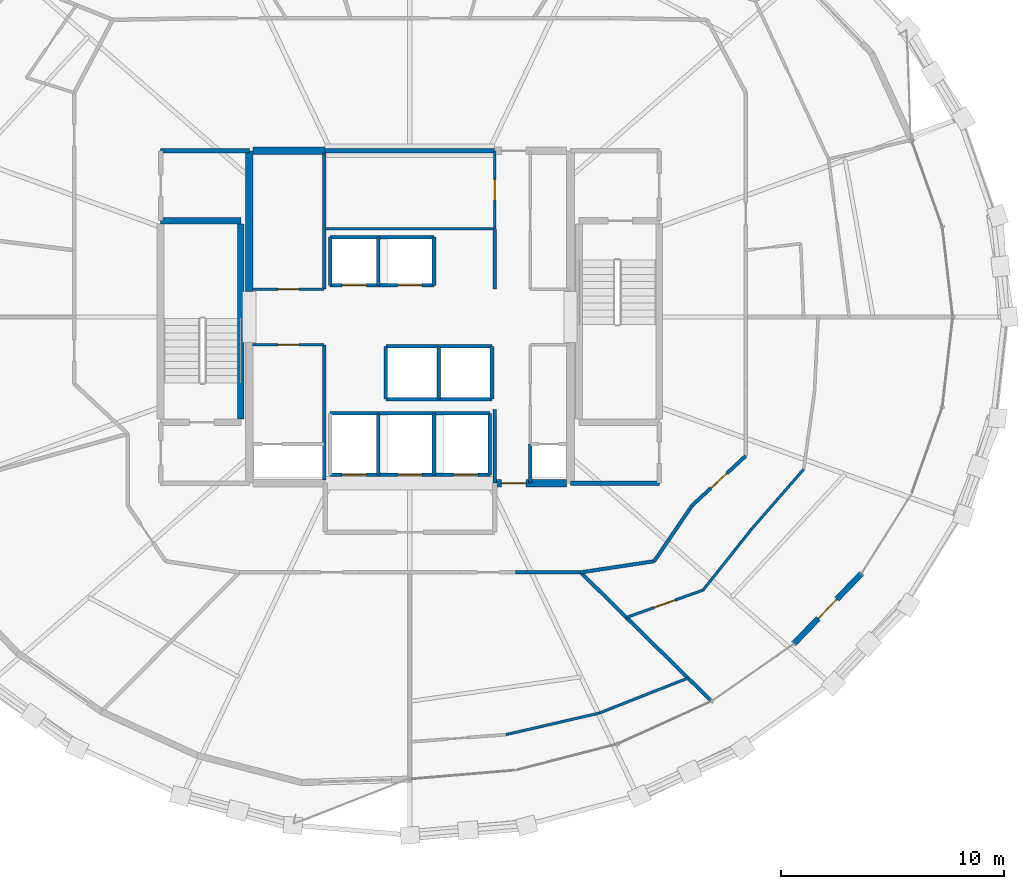
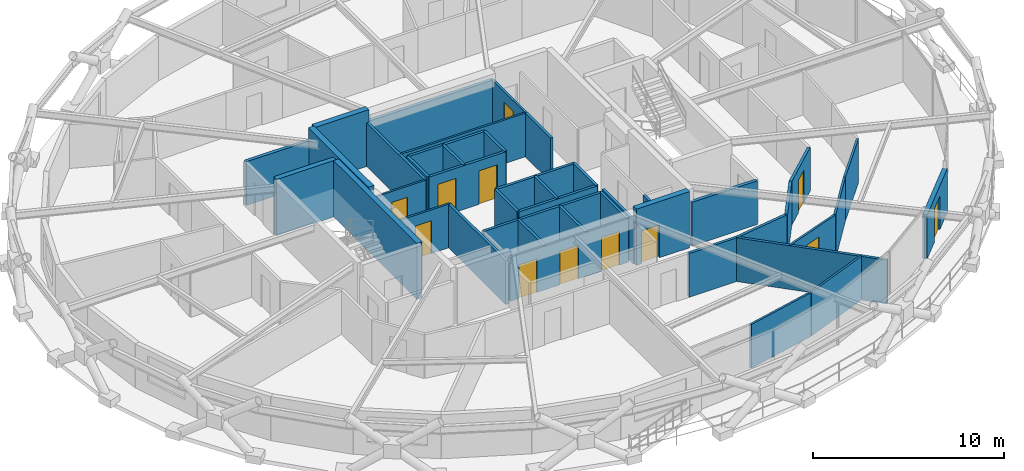
# One storey, part 13 of 16: 43 walls, 12 doors, 12 openings.
"""IFC4 building model written with IfcOpenShell, lengths in metres."""

from ifc_helpers import new_model, si_unit, direction, frame, frame_2d, origin, place, context, subcontext, project, spatial, rectangle, extrude, material, layer, layer_set, type_object, element, fill, save


model = new_model("IFC4")

# Units and contexts
model_context = context("Model", 3, precision=1e-05, world=origin(), true_north=direction((0.0, 1.0)))
body_context = subcontext(model_context, "Body", "Model", "MODEL_VIEW")
ifc_project = project(units=[si_unit("LENGTHUNIT", "METRE"), si_unit("AREAUNIT", "SQUARE_METRE"), si_unit("VOLUMEUNIT", "CUBIC_METRE"), si_unit("PLANEANGLEUNIT", "RADIAN"), si_unit("MASSUNIT", "GRAM", prefix="KILO")], contexts=[model_context])

# Site, building, storey
site_placement = place(None, origin())
site = spatial("IfcSite", under=ifc_project, at=site_placement, CompositionType="ELEMENT")
building_placement = place(site_placement, origin())
building = spatial("IfcBuilding", under=site, at=building_placement, Name="Veldorina Hangang Commons", CompositionType="ELEMENT")
storey_placement = place(building_placement, frame((0.0, 0.0, 192.800048828125)))
storey = spatial("IfcBuildingStorey", under=building, at=storey_placement, Name="L50", CompositionType="ELEMENT", Elevation=192.800048828125)

# Wall
ifc_material_1 = material(Name="Concrete C60/75", Category="concrete")
ifc_layer_1 = layer(ifc_material_1, 0.340087890625)
ifc_layer_set_1 = layer_set([ifc_layer_1], Name="Concrete C60/75")
wall_type_1 = type_object("IfcWallType", Name="CW-RC340-C60", PredefinedType="SHEAR", material=ifc_layer_set_1)
wall_1_placement = place(storey_placement, frame((24.800048828125, 25.14990234375, 0.0), z_axis=(0.0, 0.0, 1.0), x_axis=(0.0, 1.0, 0.0)))
element("IfcWall", 1, at=wall_1_placement, inside=storey, type_object=wall_type_1, Name="L50 W north core shear wall", PredefinedType="SHEAR", context=body_context, shape_type="SweptSolid", body=[
    extrude(rectangle(XDim=6.300048828125, YDim=0.340087890625, at=frame_2d((3.14990234375, 0.0))), origin(), (0.0, 0.0, 1.0), 3.599853515625),
])

# Wall, opening, door
wall_2_placement = place(storey_placement, frame((35.800048828125, 16.550048828125, 0.0), z_axis=(0.0, 0.0, 1.0), x_axis=(1.0, 0.0, 0.0)))
wall_2 = element("IfcWall", 2, at=wall_2_placement, inside=storey, type_object=wall_type_1, Name="L50 south-east core shear wall", PredefinedType="SHEAR", context=body_context, shape_type="SweptSolid", body=[
    extrude(rectangle(XDim=3.22998046875, YDim=0.340087890625, at=frame_2d((1.614990234375, 0.0))), origin(), (0.0, 0.0, 1.0), 3.599853515625),
])
opening_1_placement = place(wall_2_placement, frame((0.300048828125, 0.0, 0.0)))
opening_1 = element("IfcOpeningElement", 3, at=opening_1_placement, cuts=wall_2, Name="Opening D-08", PredefinedType="OPENING", context=body_context, shape_type="SweptSolid", body=[
    extrude(rectangle(XDim=1.10009765625, YDim=2.10009765625, at=frame_2d((0.550048828125, 1.050048828125))), frame((0.0, 0.18017578125, 0.0), z_axis=(0.0, -1.0, 0.0), x_axis=(1.0, 0.0, 0.0)), (0.0, 0.0, 1.0), 0.360107421875),
])
ifc_material_2 = material(Name="Steel Fire-Rated Smoke Seal", Category="steel")
door_type_1 = type_object("IfcDoorType", Name="DR-FIRE-1100", OperationType="SINGLE_SWING_RIGHT", PredefinedType="DOOR", material=ifc_material_2)
door_1_placement = place(opening_1_placement, origin())
door_1 = element("IfcDoor", 4, at=door_1_placement, inside=storey, type_object=door_type_1, Name="L50 central lift lobby south corridor door", OperationType="SINGLE_SWING_RIGHT", OverallHeight=2.10009765625, OverallWidth=1.10009765625, PredefinedType="DOOR", context=body_context, shape_type="SweptSolid", body=[
    extrude(rectangle(XDim=1.10009765625, YDim=2.10009765625, at=frame_2d((0.550048828125, 1.050048828125))), frame((0.0, 0.02490234375, 0.0), z_axis=(0.0, -1.0, 0.0), x_axis=(1.0, 0.0, 0.0)), (0.0, 0.0, 1.0), 0.050048828125),
])
fill(opening_1, door_1)

# Wall
wall_3_placement = place(storey_placement, frame((24.969970703125, 31.449951171875, 0.0), z_axis=(0.0, 0.0, 1.0), x_axis=(1.0, 0.0, 0.0)))
element("IfcWall", 5, at=wall_3_placement, inside=storey, type_object=wall_type_1, Name="L50 north-west core shear wall", PredefinedType="SHEAR", context=body_context, shape_type="SweptSolid", body=[
    extrude(rectangle(XDim=3.22998046875, YDim=0.340087890625, at=frame_2d((1.614990234375, 0.0))), origin(), (0.0, 0.0, 1.0), 3.599853515625),
])

# Wall, opening, door
ifc_material_3 = material(Name="Stone Roman Travertine", Category="masonry")
ifc_layer_2 = layer(ifc_material_3, 0.260009765625)
ifc_layer_set_2 = layer_set([ifc_layer_2], Name="Stone Roman Travertine")
wall_type_2 = type_object("IfcWallType", Name="EW-LOGGIA-260", PredefinedType="STANDARD", material=ifc_layer_set_2)
wall_4_placement = place(storey_placement, frame((49.2109375, 9.34912109375, 0.0), z_axis=(0.0, 0.0, 1.0), x_axis=(0.694057872199, 0.719919210772, 0.0)))
wall_4 = element("IfcWall", 6, at=wall_4_placement, inside=storey, type_object=wall_type_2, Name="L50 sky-garden loggia portal wall 28", PredefinedType="STANDARD", context=body_context, shape_type="SweptSolid", body=[
    extrude(rectangle(XDim=4.361572265625, YDim=0.260009765625, at=frame_2d((2.1806640625, 0.0))), origin(), (0.0, 0.0, 1.0), 2.820068359375),
])
opening_2_placement = place(wall_4_placement, frame((1.58056640625, 0.0, 0.0)))
opening_2 = element("IfcOpeningElement", 7, at=opening_2_placement, cuts=wall_4, Name="Opening BD-1200", PredefinedType="OPENING", context=body_context, shape_type="SweptSolid", body=[
    extrude(rectangle(XDim=1.199951171875, YDim=2.14990234375, at=frame_2d((0.60009765625, 1.074951171875))), frame((0.0, 0.14013671875, 0.0), z_axis=(0.0, -1.0, 0.0), x_axis=(1.0, 0.0, 0.0)), (0.0, 0.0, 1.0), 0.280029296875),
])
ifc_material_4 = material(Name="Glass Thermal Aluminium Frame", Category="aluminium")
door_type_2 = type_object("IfcDoorType", Name="DR-EXT-LOG1200", OperationType="SINGLE_SWING_LEFT", PredefinedType="DOOR", material=ifc_material_4)
door_2_placement = place(opening_2_placement, origin())
door_2 = element("IfcDoor", 8, at=door_2_placement, inside=storey, type_object=door_type_2, Name="L50 loggia glazed exterior door 28", OperationType="SINGLE_SWING_LEFT", OverallHeight=2.14990234375, OverallWidth=1.199951171875, PredefinedType="DOOR", context=body_context, shape_type="SweptSolid", body=[
    extrude(rectangle(XDim=1.199951171875, YDim=2.14990234375, at=frame_2d((0.60009765625, 1.074951171875))), frame((0.0, 0.02490234375, 0.0), z_axis=(0.0, -1.0, 0.0), x_axis=(1.0, 0.0, 0.0)), (0.0, 0.0, 1.0), 0.050048828125),
])
fill(opening_2, door_2)

# Walls
ifc_material_5 = material(Name="Concrete C50/60", Category="concrete")
ifc_layer_3 = layer(ifc_material_5, 0.300048828125)
ifc_layer_set_3 = layer_set([ifc_layer_3], Name="Concrete C50/60")
wall_type_3 = type_object("IfcWallType", Name="SW-STAIR-300", PredefinedType="SHEAR", material=ifc_layer_set_3)
wall_5_placement = place(storey_placement, frame((24.419921875, 19.429931640625, 0.0), z_axis=(0.0, 0.0, 1.0), x_axis=(0.0, 1.0, 0.0)))
element("IfcWall", 9, at=wall_5_placement, inside=storey, type_object=wall_type_3, Name="L50 ST1 inner stair shear wall", PredefinedType="SHEAR", context=body_context, shape_type="SweptSolid", body=[
    extrude(rectangle(XDim=8.739990234375, YDim=0.300048828125, at=frame_2d((4.3701171875, 0.0))), origin(), (0.0, 0.0, 1.0), 3.599853515625),
])
wall_6_placement = place(storey_placement, frame((20.820068359375, 28.320068359375, 0.0), z_axis=(0.0, 0.0, 1.0), x_axis=(1.0, 0.0, 0.0)))
element("IfcWall", 10, at=wall_6_placement, inside=storey, type_object=wall_type_3, Name="L50 ST1 north stair shear wall", PredefinedType="SHEAR", context=body_context, shape_type="SweptSolid", body=[
    extrude(rectangle(XDim=3.599853515625, YDim=0.300048828125, at=frame_2d((1.7998046875, 0.0))), origin(), (0.0, 0.0, 1.0), 3.599853515625),
])
ifc_material_6 = material(Name="Gypsum Fire-Rated Twin Stud Wall", Category="gypsum")
ifc_layer_4 = layer(ifc_material_6, 0.159912109375)
ifc_layer_set_4 = layer_set([ifc_layer_4], Name="Gypsum Fire-Rated Twin Stud Wall")
wall_type_4 = type_object("IfcWallType", Name="WL-FIRE-160", PredefinedType="SOLIDWALL", material=ifc_layer_set_4)
wall_7_placement = place(storey_placement, frame((35.800048828125, 16.550048828125, 0.0), z_axis=(0.0, 0.0, 1.0), x_axis=(0.0, 1.0, 0.0)))
element("IfcWall", 11, at=wall_7_placement, inside=storey, type_object=wall_type_4, Name="L50 Lift passage SW wall 009", PredefinedType="SOLIDWALL", context=body_context, shape_type="SweptSolid", body=[
    extrude(rectangle(XDim=3.300048828125, YDim=0.159912109375, at=frame_2d((1.64990234375, 0.0))), origin(), (0.0, 0.0, 1.0), 2.800048828125),
])
wall_8_placement = place(storey_placement, frame((37.39990234375, 16.550048828125, 0.0), z_axis=(0.0, 0.0, 1.0), x_axis=(0.0, 1.0, 0.0)))
element("IfcWall", 12, at=wall_8_placement, inside=storey, type_object=wall_type_4, Name="L50 Lift passage SE stub 010", PredefinedType="SOLIDWALL", context=body_context, shape_type="SweptSolid", body=[
    extrude(rectangle(XDim=1.75, YDim=0.159912109375, at=frame_2d((0.875, 0.0))), origin(), (0.0, 0.0, 1.0), 2.800048828125),
])
wall_9_placement = place(storey_placement, frame((35.800048828125, 25.25, 0.0), z_axis=(0.0, 0.0, 1.0), x_axis=(0.0, 1.0, 0.0)))
element("IfcWall", 13, at=wall_9_placement, inside=storey, type_object=wall_type_4, Name="L50 Lift passage NW lower wall 011", PredefinedType="SOLIDWALL", context=body_context, shape_type="SweptSolid", body=[
    extrude(rectangle(XDim=2.699951171875, YDim=0.159912109375, at=frame_2d((1.35009765625, 0.0))), origin(), (0.0, 0.0, 1.0), 2.800048828125),
])

# Wall, openings, doors
wall_10_placement = place(storey_placement, frame((28.419921875, 25.419921875, 0.0), z_axis=(0.0, 0.0, 1.0), x_axis=(1.0, 0.0, 0.0)))
wall_10 = element("IfcWall", 14, at=wall_10_placement, inside=storey, type_object=wall_type_4, Name="L50 Mid-high front shaft wall 015", PredefinedType="SOLIDWALL", context=body_context, shape_type="SweptSolid", body=[
    extrude(rectangle(XDim=4.66015625, YDim=0.159912109375, at=frame_2d((2.330078125, 0.0))), origin(), (0.0, 0.0, 1.0), 2.800048828125),
])
opening_3_placement = place(wall_10_placement, frame((0.530029296875, 0.0, 0.0)))
opening_3 = element("IfcOpeningElement", 15, at=opening_3_placement, cuts=wall_10, Name="Opening LD-01", PredefinedType="OPENING", context=body_context, shape_type="SweptSolid", body=[
    extrude(rectangle(XDim=1.10009765625, YDim=2.14990234375, at=frame_2d((0.550048828125, 1.074951171875))), frame((0.0, 0.08984375, 0.0), z_axis=(0.0, -1.0, 0.0), x_axis=(1.0, 0.0, 0.0)), (0.0, 0.0, 1.0), 0.179931640625),
])
opening_4_placement = place(wall_10_placement, frame((3.030029296875, 0.0, 0.0)))
opening_4 = element("IfcOpeningElement", 16, at=opening_4_placement, cuts=wall_10, Name="Opening LD-01", PredefinedType="OPENING", context=body_context, shape_type="SweptSolid", body=[
    extrude(rectangle(XDim=1.10009765625, YDim=2.14990234375, at=frame_2d((0.550048828125, 1.074951171875))), frame((0.0, 0.08984375, 0.0), z_axis=(0.0, -1.0, 0.0), x_axis=(1.0, 0.0, 0.0)), (0.0, 0.0, 1.0), 0.179931640625),
])
ifc_material_7 = material(Name="Stainless Steel Brushed Lift Door", Category="steel")
door_type_3 = type_object("IfcDoorType", Name="DR-LIFT-1100", OperationType="SLIDING_TO_LEFT", PredefinedType="DOOR", material=ifc_material_7)
door_3_placement = place(opening_3_placement, origin())
door_3 = element("IfcDoor", 17, at=door_3_placement, inside=storey, type_object=door_type_3, Name="L50 Lift PL-M1 landing door 006", OperationType="SLIDING_TO_RIGHT", OverallHeight=2.14990234375, OverallWidth=1.10009765625, PredefinedType="DOOR", context=body_context, shape_type="SweptSolid", body=[
    extrude(rectangle(XDim=1.10009765625, YDim=2.14990234375, at=frame_2d((0.550048828125, 1.074951171875))), frame((0.0, 0.02490234375, 0.0), z_axis=(0.0, -1.0, 0.0), x_axis=(1.0, 0.0, 0.0)), (0.0, 0.0, 1.0), 0.050048828125),
])
fill(opening_3, door_3)
door_4_placement = place(opening_4_placement, origin())
door_4 = element("IfcDoor", 18, at=door_4_placement, inside=storey, type_object=door_type_3, Name="L50 Lift PL-M2 landing door 007", OperationType="SLIDING_TO_RIGHT", OverallHeight=2.14990234375, OverallWidth=1.10009765625, PredefinedType="DOOR", context=body_context, shape_type="SweptSolid", body=[
    extrude(rectangle(XDim=1.10009765625, YDim=2.14990234375, at=frame_2d((0.550048828125, 1.074951171875))), frame((0.0, 0.02490234375, 0.0), z_axis=(0.0, -1.0, 0.0), x_axis=(1.0, 0.0, 0.0)), (0.0, 0.0, 1.0), 0.050048828125),
])
fill(opening_4, door_4)

# Walls
wall_11_placement = place(storey_placement, frame((28.419921875, 27.580078125, 0.0), z_axis=(0.0, 0.0, 1.0), x_axis=(1.0, 0.0, 0.0)))
element("IfcWall", 19, at=wall_11_placement, inside=storey, type_object=wall_type_4, Name="L50 Mid-high rear shaft wall 016", PredefinedType="SOLIDWALL", context=body_context, shape_type="SweptSolid", body=[
    extrude(rectangle(XDim=4.66015625, YDim=0.159912109375, at=frame_2d((2.330078125, 0.0))), origin(), (0.0, 0.0, 1.0), 2.800048828125),
])
for number, where, z_axis, x_axis, name in (
    (20, (28.419921875, 25.419921875, 0.0), (0.0, 0.0, 1.0), (0.0, 1.0, 0.0), "L50 PL-M1 west shaft wall 017"),
    (21, (30.580078125, 25.419921875, 0.0), (0.0, 0.0, 1.0), (0.0, 1.0, 0.0), "L50 PL-M1 east shaft wall 018"),
    (22, (33.080078125, 25.419921875, 0.0), (0.0, 0.0, 1.0), (0.0, 1.0, 0.0), "L50 PL-M2 east shaft wall 019"),
):
    element("IfcWall", number, at=place(storey_placement, frame(where, z_axis=z_axis, x_axis=x_axis)), inside=storey, type_object=wall_type_4, Name=name, PredefinedType="SOLIDWALL", context=body_context, shape_type="SweptSolid", body=[
        extrude(rectangle(XDim=2.16015625, YDim=0.159912109375, at=frame_2d((1.080078125, 0.0))), origin(), (0.0, 0.0, 1.0), 2.800048828125),
    ])
for number, where, z_axis, x_axis, name in (
    (23, (30.919921875, 22.679931640625, 0.0), (0.0, 0.0, 1.0), (1.0, 0.0, 0.0), "L50 Shuttle-high front shaft wall 020"),
    (24, (30.919921875, 20.320068359375, 0.0), (0.0, 0.0, 1.0), (1.0, 0.0, 0.0), "L50 Shuttle-high rear shaft wall 021"),
):
    element("IfcWall", number, at=place(storey_placement, frame(where, z_axis=z_axis, x_axis=x_axis)), inside=storey, type_object=wall_type_4, Name=name, PredefinedType="SOLIDWALL", context=body_context, shape_type="SweptSolid", body=[
        extrude(rectangle(XDim=4.760009765625, YDim=0.159912109375, at=frame_2d((2.3798828125, 0.0))), origin(), (0.0, 0.0, 1.0), 2.800048828125),
    ])
for number, where, z_axis, x_axis, name in (
    (25, (30.919921875, 20.320068359375, 0.0), (0.0, 0.0, 1.0), (0.0, 1.0, 0.0), "L50 SL-1 west shaft wall 022"),
    (26, (33.300048828125, 20.320068359375, 0.0), (0.0, 0.0, 1.0), (0.0, 1.0, 0.0), "L50 SL-1 east shaft wall 023"),
    (27, (35.679931640625, 20.320068359375, 0.0), (0.0, 0.0, 1.0), (0.0, 1.0, 0.0), "L50 SL-2 east shaft wall 024"),
):
    element("IfcWall", number, at=place(storey_placement, frame(where, z_axis=z_axis, x_axis=x_axis)), inside=storey, type_object=wall_type_4, Name=name, PredefinedType="SOLIDWALL", context=body_context, shape_type="SweptSolid", body=[
        extrude(rectangle(XDim=2.35986328125, YDim=0.159912109375, at=frame_2d((1.179931640625, 0.0))), origin(), (0.0, 0.0, 1.0), 2.800048828125),
    ])

# Wall, openings, doors
wall_12_placement = place(storey_placement, frame((28.419921875, 16.919921875, 0.0), z_axis=(0.0, 0.0, 1.0), x_axis=(1.0, 0.0, 0.0)))
wall_12 = element("IfcWall", 28, at=wall_12_placement, inside=storey, type_object=wall_type_4, Name="L50 Emergency front shaft wall 025", PredefinedType="SOLIDWALL", context=body_context, shape_type="SweptSolid", body=[
    extrude(rectangle(XDim=7.16015625, YDim=0.159912109375, at=frame_2d((3.580078125, 0.0))), origin(), (0.0, 0.0, 1.0), 2.800048828125),
])
opening_5_placement = place(wall_12_placement, frame((0.530029296875, 0.0, 0.0)))
opening_5 = element("IfcOpeningElement", 29, at=opening_5_placement, cuts=wall_12, Name="Opening LD-03", PredefinedType="OPENING", context=body_context, shape_type="SweptSolid", body=[
    extrude(rectangle(XDim=1.10009765625, YDim=2.14990234375, at=frame_2d((0.550048828125, 1.074951171875))), frame((0.0, 0.08984375, 0.0), z_axis=(0.0, -1.0, 0.0), x_axis=(1.0, 0.0, 0.0)), (0.0, 0.0, 1.0), 0.179931640625),
])
opening_6_placement = place(wall_12_placement, frame((3.030029296875, 0.0, 0.0)))
opening_6 = element("IfcOpeningElement", 30, at=opening_6_placement, cuts=wall_12, Name="Opening LD-03", PredefinedType="OPENING", context=body_context, shape_type="SweptSolid", body=[
    extrude(rectangle(XDim=1.10009765625, YDim=2.14990234375, at=frame_2d((0.550048828125, 1.074951171875))), frame((0.0, 0.08984375, 0.0), z_axis=(0.0, -1.0, 0.0), x_axis=(1.0, 0.0, 0.0)), (0.0, 0.0, 1.0), 0.179931640625),
])
opening_7_placement = place(wall_12_placement, frame((5.530029296875, 0.0, 0.0)))
opening_7 = element("IfcOpeningElement", 31, at=opening_7_placement, cuts=wall_12, Name="Opening LD-03", PredefinedType="OPENING", context=body_context, shape_type="SweptSolid", body=[
    extrude(rectangle(XDim=1.10009765625, YDim=2.14990234375, at=frame_2d((0.550048828125, 1.074951171875))), frame((0.0, 0.08984375, 0.0), z_axis=(0.0, -1.0, 0.0), x_axis=(1.0, 0.0, 0.0)), (0.0, 0.0, 1.0), 0.179931640625),
])
ifc_material_8 = material(Name="Stainless Steel Firefighting Lift Door", Category="steel")
door_type_4 = type_object("IfcDoorType", Name="DR-LIFT-FF1100", OperationType="SLIDING_TO_RIGHT", PredefinedType="DOOR", material=ifc_material_8)
door_5_placement = place(opening_5_placement, origin())
door_5 = element("IfcDoor", 32, at=door_5_placement, inside=storey, type_object=door_type_4, Name="L50 Emergency lift FFL-1 landing door 008", OperationType="SLIDING_TO_RIGHT", OverallHeight=2.14990234375, OverallWidth=1.10009765625, PredefinedType="DOOR", context=body_context, shape_type="SweptSolid", body=[
    extrude(rectangle(XDim=1.10009765625, YDim=2.14990234375, at=frame_2d((0.550048828125, 1.074951171875))), frame((0.0, 0.02490234375, 0.0), z_axis=(0.0, -1.0, 0.0), x_axis=(1.0, 0.0, 0.0)), (0.0, 0.0, 1.0), 0.050048828125),
])
fill(opening_5, door_5)
door_6_placement = place(opening_6_placement, origin())
door_6 = element("IfcDoor", 33, at=door_6_placement, inside=storey, type_object=door_type_4, Name="L50 Emergency lift FFL-2 landing door 009", OperationType="SLIDING_TO_RIGHT", OverallHeight=2.14990234375, OverallWidth=1.10009765625, PredefinedType="DOOR", context=body_context, shape_type="SweptSolid", body=[
    extrude(rectangle(XDim=1.10009765625, YDim=2.14990234375, at=frame_2d((0.550048828125, 1.074951171875))), frame((0.0, 0.02490234375, 0.0), z_axis=(0.0, -1.0, 0.0), x_axis=(1.0, 0.0, 0.0)), (0.0, 0.0, 1.0), 0.050048828125),
])
fill(opening_6, door_6)
door_7_placement = place(opening_7_placement, origin())
door_7 = element("IfcDoor", 34, at=door_7_placement, inside=storey, type_object=door_type_4, Name="L50 Emergency lift EVL-1 landing door 010", OperationType="SLIDING_TO_RIGHT", OverallHeight=2.14990234375, OverallWidth=1.10009765625, PredefinedType="DOOR", context=body_context, shape_type="SweptSolid", body=[
    extrude(rectangle(XDim=1.10009765625, YDim=2.14990234375, at=frame_2d((0.550048828125, 1.074951171875))), frame((0.0, 0.02490234375, 0.0), z_axis=(0.0, -1.0, 0.0), x_axis=(1.0, 0.0, 0.0)), (0.0, 0.0, 1.0), 0.050048828125),
])
fill(opening_7, door_7)

# Walls
wall_13_placement = place(storey_placement, frame((28.419921875, 19.679931640625, 0.0), z_axis=(0.0, 0.0, 1.0), x_axis=(1.0, 0.0, 0.0)))
element("IfcWall", 35, at=wall_13_placement, inside=storey, type_object=wall_type_4, Name="L50 Emergency rear shaft wall 026", PredefinedType="SOLIDWALL", context=body_context, shape_type="SweptSolid", body=[
    extrude(rectangle(XDim=7.16015625, YDim=0.159912109375, at=frame_2d((3.580078125, 0.0))), origin(), (0.0, 0.0, 1.0), 2.800048828125),
])
for number, where, z_axis, x_axis, name in (
    (36, (30.580078125, 16.919921875, 0.0), (0.0, 0.0, 1.0), (0.0, 1.0, 0.0), "L50 FFL-1 east shaft wall 028"),
    (37, (33.080078125, 16.919921875, 0.0), (0.0, 0.0, 1.0), (0.0, 1.0, 0.0), "L50 FFL-2 east shaft wall 029"),
    (38, (35.580078125, 16.919921875, 0.0), (0.0, 0.0, 1.0), (0.0, 1.0, 0.0), "L50 EVL-1 east shaft wall 030"),
):
    element("IfcWall", number, at=place(storey_placement, frame(where, z_axis=z_axis, x_axis=x_axis)), inside=storey, type_object=wall_type_4, Name=name, PredefinedType="SOLIDWALL", context=body_context, shape_type="SweptSolid", body=[
        extrude(rectangle(XDim=2.760009765625, YDim=0.159912109375, at=frame_2d((1.3798828125, 0.0))), origin(), (0.0, 0.0, 1.0), 2.800048828125),
    ])
wall_14_placement = place(storey_placement, frame((28.14990234375, 16.699951171875, 0.0), z_axis=(0.0, 0.0, 1.0), x_axis=(0.0, 1.0, 0.0)))
element("IfcWall", 39, at=wall_14_placement, inside=storey, type_object=wall_type_4, Name="L50 SW core inner wall 035", PredefinedType="SOLIDWALL", context=body_context, shape_type="SweptSolid", body=[
    extrude(rectangle(XDim=6.050048828125, YDim=0.159912109375, at=frame_2d((3.02490234375, 0.0))), origin(), (0.0, 0.0, 1.0), 2.800048828125),
])
wall_15_placement = place(storey_placement, frame((28.14990234375, 25.25, 0.0), z_axis=(0.0, 0.0, 1.0), x_axis=(0.0, 1.0, 0.0)))
element("IfcWall", 40, at=wall_15_placement, inside=storey, type_object=wall_type_4, Name="L50 NW core inner wall 037", PredefinedType="SOLIDWALL", context=body_context, shape_type="SweptSolid", body=[
    extrude(rectangle(XDim=6.10009765625, YDim=0.159912109375, at=frame_2d((3.050048828125, 0.0))), origin(), (0.0, 0.0, 1.0), 2.800048828125),
])
wall_16_placement = place(storey_placement, frame((36.74267578125, 12.550048828125, 0.0), z_axis=(0.0, 0.0, 1.0), x_axis=(1.0, 0.0, 0.0)))
element("IfcWall", 41, at=wall_16_placement, inside=storey, type_object=wall_type_4, Name="L50 U-corridor outer wall 26 070", PredefinedType="SOLIDWALL", context=body_context, shape_type="SweptSolid", body=[
    extrude(rectangle(XDim=2.907958984375, YDim=0.159912109375, at=frame_2d((1.4541015625, 0.0))), origin(), (0.0, 0.0, 1.0), 2.800048828125),
])
wall_17_placement = place(storey_placement, frame((39.650634765625, 12.550048828125, 0.0), z_axis=(0.0, 0.0, 1.0), x_axis=(0.988710906508, 0.149835721217, 0.0)))
element("IfcWall", 42, at=wall_17_placement, inside=storey, type_object=wall_type_4, Name="L50 U-corridor outer wall 27 071", PredefinedType="SOLIDWALL", context=body_context, shape_type="SweptSolid", body=[
    extrude(rectangle(XDim=3.3369140625, YDim=0.159912109375, at=frame_2d((1.66845703125, 0.0))), origin(), (0.0, 0.0, 1.0), 2.800048828125),
])
wall_18_placement = place(storey_placement, frame((42.949951171875, 13.050048828125, 0.0), z_axis=(0.0, 0.0, 1.0), x_axis=(0.562674669208, 0.826678423955, 0.0)))
element("IfcWall", 43, at=wall_18_placement, inside=storey, type_object=wall_type_4, Name="L50 U-corridor outer wall 28 072", PredefinedType="SOLIDWALL", context=body_context, shape_type="SweptSolid", body=[
    extrude(rectangle(XDim=3.021240234375, YDim=0.159912109375, at=frame_2d((1.5107421875, 0.0))), origin(), (0.0, 0.0, 1.0), 2.800048828125),
])

# Wall, opening, door
wall_19_placement = place(storey_placement, frame((44.64990234375, 15.547607421875, 0.0), z_axis=(0.0, 0.0, 1.0), x_axis=(0.734347936521, 0.678773237633, 0.0)))
wall_19 = element("IfcWall", 44, at=wall_19_placement, inside=storey, type_object=wall_type_4, Name="L50 U-corridor outer wall 29 073", PredefinedType="SOLIDWALL", context=body_context, shape_type="SweptSolid", body=[
    extrude(rectangle(XDim=3.268310546875, YDim=0.159912109375, at=frame_2d((1.63427734375, 0.0))), origin(), (0.0, 0.0, 1.0), 2.800048828125),
])
opening_8_placement = place(wall_19_placement, frame((1.13427734375, 0.0, 0.0)))
opening_8 = element("IfcOpeningElement", 45, at=opening_8_placement, cuts=wall_19, Name="Opening D-05", PredefinedType="OPENING", context=body_context, shape_type="SweptSolid", body=[
    extrude(rectangle(XDim=1.0, YDim=2.10009765625, at=frame_2d((0.5, 1.050048828125))), frame((0.0, 0.08984375, 0.0), z_axis=(0.0, -1.0, 0.0), x_axis=(1.0, 0.0, 0.0)), (0.0, 0.0, 1.0), 0.179931640625),
])
ifc_material_9 = material(Name="Timber Solid Core Acoustic", Category="wood")
door_type_5 = type_object("IfcDoorType", Name="DR-INT-1000", OperationType="SINGLE_SWING_RIGHT", PredefinedType="DOOR", material=ifc_material_9)
door_8_placement = place(opening_8_placement, origin())
door_8 = element("IfcDoor", 46, at=door_8_placement, inside=storey, type_object=door_type_5, Name="L50 Commons alcove door 018", OperationType="SINGLE_SWING_RIGHT", OverallHeight=2.10009765625, OverallWidth=1.0, PredefinedType="DOOR", context=body_context, shape_type="SweptSolid", body=[
    extrude(rectangle(XDim=1.0, YDim=2.10009765625, at=frame_2d((0.5, 1.050048828125))), frame((0.0, 0.02490234375, 0.0), z_axis=(0.0, -1.0, 0.0), x_axis=(1.0, 0.0, 0.0)), (0.0, 0.0, 1.0), 0.050048828125),
])
fill(opening_8, door_8)

# Walls
wall_20_placement = place(storey_placement, frame((39.650634765625, 12.550048828125, 0.0), z_axis=(0.0, 0.0, 1.0), x_axis=(0.71282340305, -0.701343564927, 0.0)))
element("IfcWall", 47, at=wall_20_placement, inside=storey, type_object=wall_type_4, Name="L50 Unit party wall 27 076", PredefinedType="SOLIDWALL", context=body_context, shape_type="SweptSolid", body=[
    extrude(rectangle(XDim=8.187744140625, YDim=0.159912109375, at=frame_2d((4.09375, 0.0))), origin(), (0.0, 0.0, 1.0), 2.800048828125),
])
ifc_material_10 = material(Name="Concrete Blockwork Fire Wall C30/37", Category="masonry")
ifc_layer_5 = layer(ifc_material_10, 0.199951171875)
ifc_layer_set_5 = layer_set([ifc_layer_5], Name="Concrete Blockwork Fire Wall C30/37")
wall_type_5 = type_object("IfcWallType", Name="WL-FIRE-200", PredefinedType="SOLIDWALL", material=ifc_layer_set_5)
for number, where, z_axis, x_axis, name in (
    (48, (20.820068359375, 31.449951171875, 0.0), (0.0, 0.0, 1.0), (1.0, 0.0, 0.0), "L50 NW core room north wall 006"),
    (49, (39.199951171875, 16.550048828125, 0.0), (0.0, 0.0, 1.0), (1.0, 0.0, 0.0), "L50 SE core room south wall 008"),
):
    element("IfcWall", number, at=place(storey_placement, frame(where, z_axis=z_axis, x_axis=x_axis)), inside=storey, type_object=wall_type_5, Name=name, PredefinedType="SOLIDWALL", context=body_context, shape_type="SweptSolid", body=[
        extrude(rectangle(XDim=3.97998046875, YDim=0.199951171875, at=frame_2d((1.989990234375, 0.0))), origin(), (0.0, 0.0, 1.0), 2.800048828125),
    ])
wall_21_placement = place(storey_placement, frame((28.199951171875, 31.449951171875, 0.0), z_axis=(0.0, 0.0, 1.0), x_axis=(1.0, 0.0, 0.0)))
element("IfcWall", 50, at=wall_21_placement, inside=storey, type_object=wall_type_5, Name="L50 Merged north core wall 031", PredefinedType="SOLIDWALL", context=body_context, shape_type="SweptSolid", body=[
    extrude(rectangle(XDim=7.60009765625, YDim=0.199951171875, at=frame_2d((3.800048828125, 0.0))), origin(), (0.0, 0.0, 1.0), 2.800048828125),
])
ifc_material_11 = material(Name="Gypsum Acoustic Stud Partition", Category="gypsum")
ifc_layer_6 = layer(ifc_material_11, 0.1201171875)
ifc_layer_set_6 = layer_set([ifc_layer_6], Name="Gypsum Acoustic Stud Partition")
wall_type_6 = type_object("IfcWallType", Name="WL-PART-120", PredefinedType="PARTITIONING", material=ifc_layer_set_6)
wall_22_placement = place(storey_placement, frame((28.199951171875, 27.949951171875, 0.0), z_axis=(0.0, 0.0, 1.0), x_axis=(1.0, 0.0, 0.0)))
element("IfcWall", 51, at=wall_22_placement, inside=storey, type_object=wall_type_6, Name="L50 Merged north south wall 032", PredefinedType="PARTITIONING", context=body_context, shape_type="SweptSolid", body=[
    extrude(rectangle(XDim=7.60009765625, YDim=0.1201171875, at=frame_2d((3.800048828125, 0.0))), origin(), (0.0, 0.0, 1.0), 2.800048828125),
])

# Wall, opening, door
wall_23_placement = place(storey_placement, frame((35.800048828125, 27.949951171875, 0.0), z_axis=(0.0, 0.0, 1.0), x_axis=(0.0, 1.0, 0.0)))
wall_23 = element("IfcWall", 52, at=wall_23_placement, inside=storey, type_object=wall_type_6, Name="L50 Merged north east wall 033", PredefinedType="PARTITIONING", context=body_context, shape_type="SweptSolid", body=[
    extrude(rectangle(XDim=3.5, YDim=0.1201171875, at=frame_2d((1.75, 0.0))), origin(), (0.0, 0.0, 1.0), 2.800048828125),
])
opening_9_placement = place(wall_23_placement, frame((1.27490234375, 0.0, 0.0)))
opening_9 = element("IfcOpeningElement", 53, at=opening_9_placement, cuts=wall_23, Name="Opening D-02", PredefinedType="OPENING", context=body_context, shape_type="SweptSolid", body=[
    extrude(rectangle(XDim=0.949951171875, YDim=2.10009765625, at=frame_2d((0.47509765625, 1.050048828125))), frame((0.0, 0.070068359375, 0.0), z_axis=(0.0, -1.0, 0.0), x_axis=(1.0, 0.0, 0.0)), (0.0, 0.0, 1.0), 0.14013671875),
])
door_type_6 = type_object("IfcDoorType", Name="DR-INT-950", OperationType="SINGLE_SWING_LEFT", PredefinedType="DOOR", material=ifc_material_9)
door_9_placement = place(opening_9_placement, origin())
door_9 = element("IfcDoor", 54, at=door_9_placement, inside=storey, type_object=door_type_6, Name="L50 Merged north room lobby door 011", OperationType="SINGLE_SWING_LEFT", OverallHeight=2.10009765625, OverallWidth=0.949951171875, PredefinedType="DOOR", context=body_context, shape_type="SweptSolid", body=[
    extrude(rectangle(XDim=0.949951171875, YDim=2.10009765625, at=frame_2d((0.47509765625, 1.050048828125))), frame((0.0, 0.02490234375, 0.0), z_axis=(0.0, -1.0, 0.0), x_axis=(1.0, 0.0, 0.0)), (0.0, 0.0, 1.0), 0.050048828125),
])
fill(opening_9, door_9)

wall_24_placement = place(storey_placement, frame((24.949951171875, 25.25, 0.0), z_axis=(0.0, 0.0, 1.0), x_axis=(1.0, 0.0, 0.0)))
wall_24 = element("IfcWall", 55, at=wall_24_placement, inside=storey, type_object=wall_type_6, Name="L50 NW service south wall 038", PredefinedType="PARTITIONING", context=body_context, shape_type="SweptSolid", body=[
    extrude(rectangle(XDim=3.199951171875, YDim=0.1201171875, at=frame_2d((1.60009765625, 0.0))), origin(), (0.0, 0.0, 1.0), 2.800048828125),
])
opening_10_placement = place(wall_24_placement, frame((1.125, 0.0, 0.0)))
opening_10 = element("IfcOpeningElement", 56, at=opening_10_placement, cuts=wall_24, Name="Opening D-02", PredefinedType="OPENING", context=body_context, shape_type="SweptSolid", body=[
    extrude(rectangle(XDim=0.949951171875, YDim=2.10009765625, at=frame_2d((0.47509765625, 1.050048828125))), frame((0.0, 0.070068359375, 0.0), z_axis=(0.0, -1.0, 0.0), x_axis=(1.0, 0.0, 0.0)), (0.0, 0.0, 1.0), 0.14013671875),
])
door_10_placement = place(opening_10_placement, origin())
door_10 = element("IfcDoor", 57, at=door_10_placement, inside=storey, type_object=door_type_6, Name="L50 Housekeeping store door 014", OperationType="SINGLE_SWING_RIGHT", OverallHeight=2.10009765625, OverallWidth=0.949951171875, PredefinedType="DOOR", context=body_context, shape_type="SweptSolid", body=[
    extrude(rectangle(XDim=0.949951171875, YDim=2.10009765625, at=frame_2d((0.47509765625, 1.050048828125))), frame((0.0, 0.02490234375, 0.0), z_axis=(0.0, -1.0, 0.0), x_axis=(1.0, 0.0, 0.0)), (0.0, 0.0, 1.0), 0.050048828125),
])
fill(opening_10, door_10)

wall_25_placement = place(storey_placement, frame((24.949951171875, 22.75, 0.0), z_axis=(0.0, 0.0, 1.0), x_axis=(1.0, 0.0, 0.0)))
wall_25 = element("IfcWall", 58, at=wall_25_placement, inside=storey, type_object=wall_type_6, Name="L50 SW service north wall 039", PredefinedType="PARTITIONING", context=body_context, shape_type="SweptSolid", body=[
    extrude(rectangle(XDim=3.199951171875, YDim=0.1201171875, at=frame_2d((1.60009765625, 0.0))), origin(), (0.0, 0.0, 1.0), 2.800048828125),
])
opening_11_placement = place(wall_25_placement, frame((1.125, 0.0, 0.0)))
opening_11 = element("IfcOpeningElement", 59, at=opening_11_placement, cuts=wall_25, Name="Opening D-02", PredefinedType="OPENING", context=body_context, shape_type="SweptSolid", body=[
    extrude(rectangle(XDim=0.949951171875, YDim=2.10009765625, at=frame_2d((0.47509765625, 1.050048828125))), frame((0.0, 0.070068359375, 0.0), z_axis=(0.0, -1.0, 0.0), x_axis=(1.0, 0.0, 0.0)), (0.0, 0.0, 1.0), 0.14013671875),
])
door_11_placement = place(opening_11_placement, origin())
door_11 = element("IfcDoor", 60, at=door_11_placement, inside=storey, type_object=door_type_6, Name="L50 Refuse hold door 015", OperationType="SINGLE_SWING_LEFT", OverallHeight=2.10009765625, OverallWidth=0.949951171875, PredefinedType="DOOR", context=body_context, shape_type="SweptSolid", body=[
    extrude(rectangle(XDim=0.949951171875, YDim=2.10009765625, at=frame_2d((0.47509765625, 1.050048828125))), frame((0.0, 0.02490234375, 0.0), z_axis=(0.0, -1.0, 0.0), x_axis=(1.0, 0.0, 0.0)), (0.0, 0.0, 1.0), 0.050048828125),
])
fill(opening_11, door_11)

wall_26_placement = place(storey_placement, frame((41.705810546875, 10.52783203125, 0.0), z_axis=(0.0, 0.0, 1.0), x_axis=(0.941757051858, 0.33629400125, 0.0)))
wall_26 = element("IfcWall", 61, at=wall_26_placement, inside=storey, type_object=wall_type_6, Name="L50 Lounge alcove split 0 077", PredefinedType="PARTITIONING", context=body_context, shape_type="SweptSolid", body=[
    extrude(rectangle(XDim=3.64794921875, YDim=0.1201171875, at=frame_2d((1.823974609375, 0.0))), origin(), (0.0, 0.0, 1.0), 2.800048828125),
])
opening_12_placement = place(wall_26_placement, frame((1.323974609375, 0.0, 0.0)))
opening_12 = element("IfcOpeningElement", 62, at=opening_12_placement, cuts=wall_26, Name="Opening D-05", PredefinedType="OPENING", context=body_context, shape_type="SweptSolid", body=[
    extrude(rectangle(XDim=1.0, YDim=2.10009765625, at=frame_2d((0.5, 1.050048828125))), frame((0.0, 0.070068359375, 0.0), z_axis=(0.0, -1.0, 0.0), x_axis=(1.0, 0.0, 0.0)), (0.0, 0.0, 1.0), 0.14013671875),
])
door_12_placement = place(opening_12_placement, origin())
door_12 = element("IfcDoor", 63, at=door_12_placement, inside=storey, type_object=door_type_5, Name="L50 Commons lounge door 019", OperationType="SINGLE_SWING_LEFT", OverallHeight=2.10009765625, OverallWidth=1.0, PredefinedType="DOOR", context=body_context, shape_type="SweptSolid", body=[
    extrude(rectangle(XDim=1.0, YDim=2.10009765625, at=frame_2d((0.5, 1.050048828125))), frame((0.0, 0.02490234375, 0.0), z_axis=(0.0, -1.0, 0.0), x_axis=(1.0, 0.0, 0.0)), (0.0, 0.0, 1.0), 0.050048828125),
])
fill(opening_12, door_12)

# Walls
wall_27_placement = place(storey_placement, frame((45.141357421875, 11.754638671875, 0.0), z_axis=(0.0, 0.0, 1.0), x_axis=(0.622346697339, 0.782741712387, 0.0)))
element("IfcWall", 64, at=wall_27_placement, inside=storey, type_object=wall_type_6, Name="L50 Lounge alcove split 1 078", PredefinedType="PARTITIONING", context=body_context, shape_type="SweptSolid", body=[
    extrude(rectangle(XDim=3.47802734375, YDim=0.1201171875, at=frame_2d((1.739013671875, 0.0))), origin(), (0.0, 0.0, 1.0), 2.800048828125),
])
wall_28_placement = place(storey_placement, frame((47.305908203125, 14.47705078125, 0.0), z_axis=(0.0, 0.0, 1.0), x_axis=(0.656655448043, 0.75419070702, 0.0)))
element("IfcWall", 65, at=wall_28_placement, inside=storey, type_object=wall_type_6, Name="L50 Lounge alcove split 2 079", PredefinedType="PARTITIONING", context=body_context, shape_type="SweptSolid", body=[
    extrude(rectangle(XDim=3.574462890625, YDim=0.1201171875, at=frame_2d((1.787109375, 0.0))), origin(), (0.0, 0.0, 1.0), 2.800048828125),
])
wall_29_placement = place(storey_placement, frame((36.3037109375, 5.275390625, 0.0), z_axis=(0.0, 0.0, 1.0), x_axis=(0.974361510368, 0.224988104382, 0.0)))
element("IfcWall", 66, at=wall_29_placement, inside=storey, type_object=wall_type_6, Name="L50 Laundry split 1 106", PredefinedType="PARTITIONING", context=body_context, shape_type="SweptSolid", body=[
    extrude(rectangle(XDim=4.298095703125, YDim=0.1201171875, at=frame_2d((2.14892578125, 0.0))), origin(), (0.0, 0.0, 1.0), 2.800048828125),
])
wall_30_placement = place(storey_placement, frame((40.49169921875, 6.242431640625, 0.0), z_axis=(0.0, 0.0, 1.0), x_axis=(0.930040659777, 0.367456624871, 0.0)))
element("IfcWall", 67, at=wall_30_placement, inside=storey, type_object=wall_type_6, Name="L50 Laundry split 2 107", PredefinedType="PARTITIONING", context=body_context, shape_type="SweptSolid", body=[
    extrude(rectangle(XDim=4.272705078125, YDim=0.1201171875, at=frame_2d((2.13623046875, 0.0))), origin(), (0.0, 0.0, 1.0), 2.800048828125),
])

save(model, "model.ifc")
